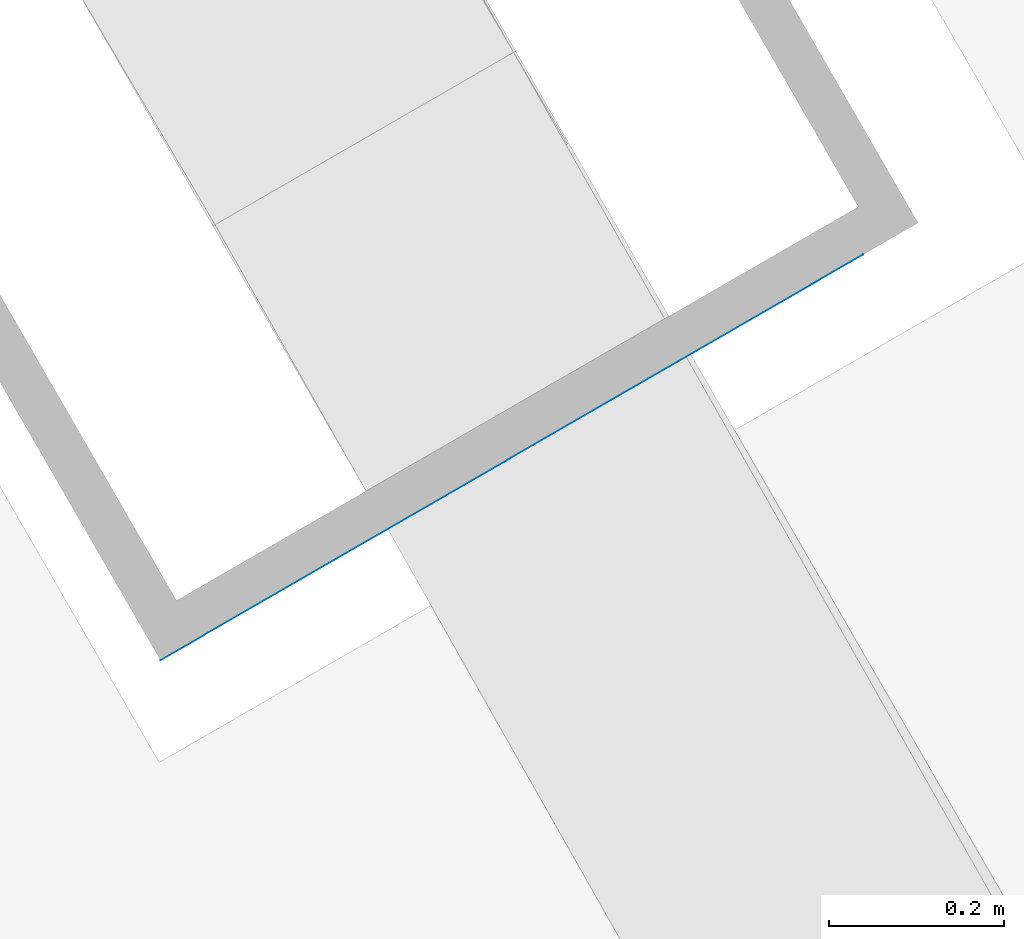
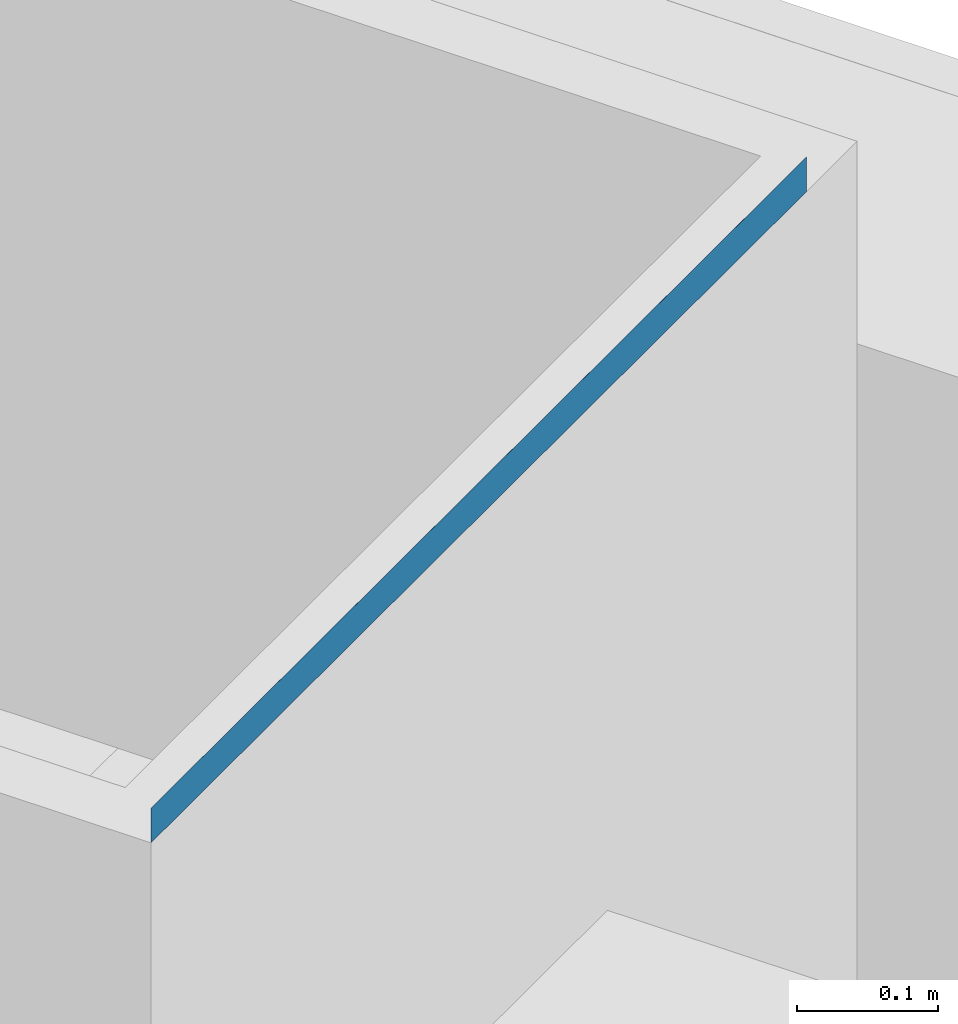
# One storey, part 7 of 13: 1 plate.
"""IFC4 building model written with IfcOpenShell, lengths in metres."""

from ifc_helpers import new_model, si_unit, direction, frame, origin, place, context, subcontext, project, spatial, polyline, outline, extrude, material, layer, layer_set, type_object, element, save


model = new_model("IFC4")

# Units and contexts
model_context = context("Model", 3, precision=1e-05, world=origin(), true_north=direction((0.0, 1.0)))
body_context = subcontext(model_context, "Body", "Model", "MODEL_VIEW")
ifc_project = project(units=[si_unit("LENGTHUNIT", "METRE"), si_unit("AREAUNIT", "SQUARE_METRE"), si_unit("VOLUMEUNIT", "CUBIC_METRE"), si_unit("PLANEANGLEUNIT", "RADIAN"), si_unit("MASSUNIT", "GRAM", prefix="KILO")], contexts=[model_context])

# Site, building, storey
site_placement = place(None, origin())
site = spatial("IfcSite", under=ifc_project, at=site_placement, CompositionType="ELEMENT")
building_placement = place(site_placement, origin())
building = spatial("IfcBuilding", under=site, at=building_placement, Name="Firuza Gate Tower and Library", CompositionType="ELEMENT")
storey_placement = place(building_placement, frame((0.0, 0.0, 146.800048828125)))
storey = spatial("IfcBuildingStorey", under=building, at=storey_placement, Name="L33", CompositionType="ELEMENT", Elevation=146.800048828125)

# Plate
ifc_material = material(Name="Steel S355", Category="steel")
ifc_layer = layer(ifc_material, 0.030029296875)
ifc_layer_set = layer_set([ifc_layer], Name="Column infill plate 30 Steel S355")
plate_type = type_object("IfcPlateType", Name="Column infill plate 30 Steel S355", PredefinedType="SHEET", material=ifc_layer_set)
plate_placement = place(storey_placement, frame((0.0, 0.0, 4.5)))
element("IfcPlate", 1, at=plate_placement, inside=storey, type_object=plate_type, Name="Infill plate L33:E3", PredefinedType="SHEET", context=body_context, shape_type="SweptSolid", body=[
    extrude(outline(polyline([(91.82861328125, 85.177978515625), (91.76611328125, 85.141845703125), (92.166015625, 84.448974609375), (91.362548828125, 83.985107421875), (91.362548828125, 83.985107421875), (92.228515625, 84.485107421875), (91.82861328125, 85.177978515625)])), origin(), (0.0, 0.0, 1.0), 0.030029296875),
])

save(model, "model.ifc")
